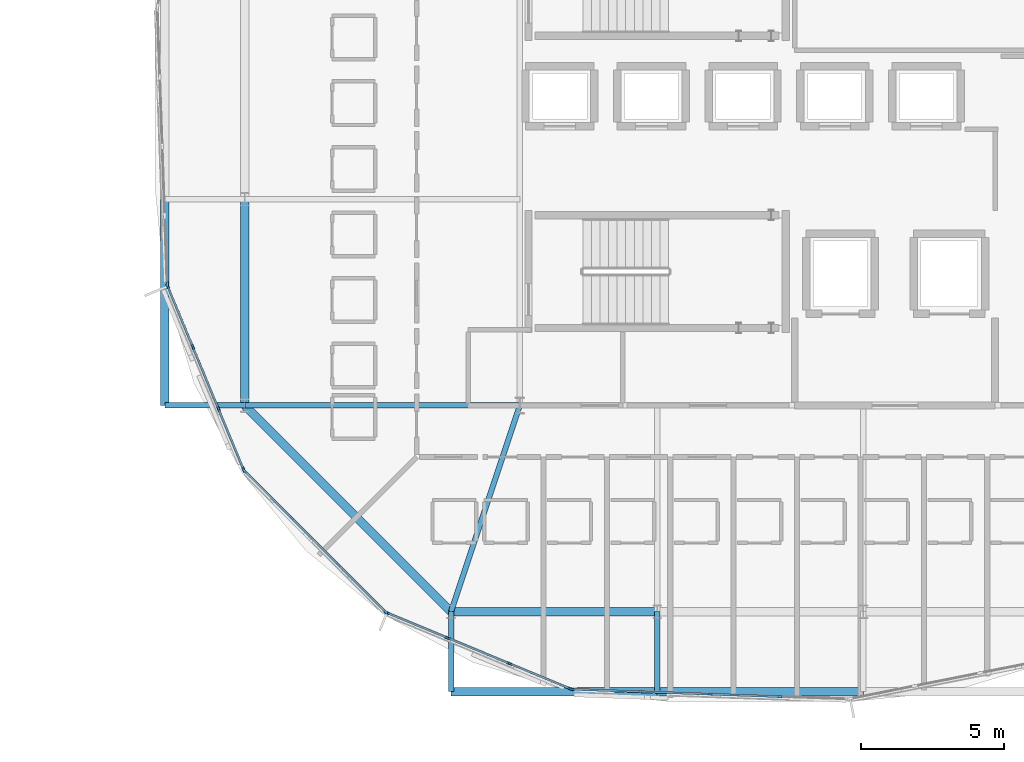
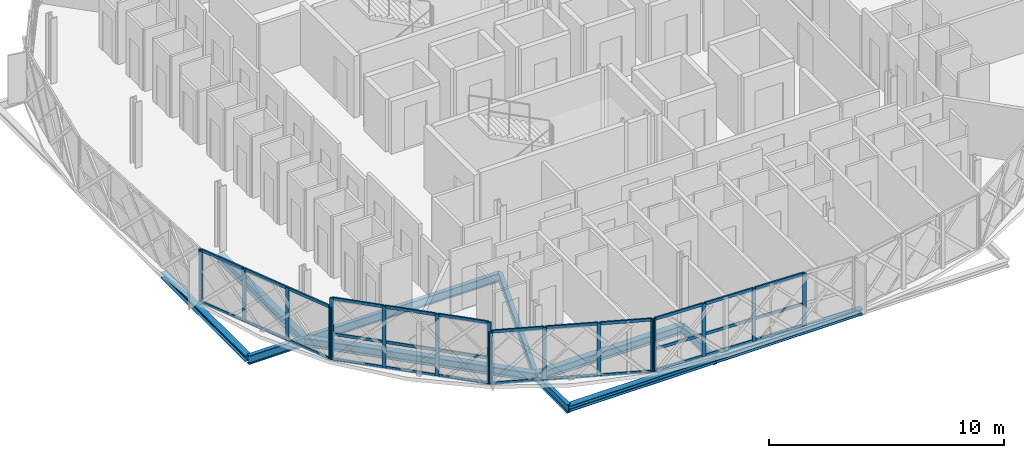
# One storey, part 8 of 40: 47 members, 11 beams, 5 elements without a shape of their own.
"""IFC4 building model written with IfcOpenShell, lengths in metres."""

import ifcopenshell
import ifcopenshell.guid

model = None  # the IFC model being written
_history = None  # IfcOwnerHistory: only IFC2X3 demands one
_inside = {}  # id of a spatial element -> (the spatial element, [elements in it])
_under = {}  # id of a project, library or spatial element -> (it, [spatial elements below it])
_declared = {}  # id of a project -> (the project, [libraries it declares])
_typed = {}  # id of a type object -> (the type object, [elements of that type])
_made_of = {}  # id of a material, layer set ... -> (it, [elements and type objects made of it])


def new_model(schema):
    """Start an empty IFC model of exactly this schema.

    Asked for "IFC4X3", IfcOpenShell would pick the latest addendum, in which some entities
    have other attributes; the version numbers below select the first issue.
    IFC2X3 requires an IfcOwnerHistory on every rooted entity: one is made here for all.
    """
    global model, _history
    if schema == "IFC4X3":
        model = ifcopenshell.file(schema_version=(4, 3, 0, 0))
    else:
        model = ifcopenshell.file(schema=schema)
    _inside.clear()
    _under.clear()
    _declared.clear()
    _typed.clear()
    _made_of.clear()
    _history = None
    if model.schema == "IFC2X3":
        org = make("IfcOrganization", Name="unknown")
        user = make(
            "IfcPersonAndOrganization",
            ThePerson=make("IfcPerson", FamilyName="unknown"),
            TheOrganization=org,
        )
        app = make(
            "IfcApplication",
            ApplicationDeveloper=org,
            Version="unknown",
            ApplicationFullName="unknown",
            ApplicationIdentifier="unknown",
        )
        _history = make(
            "IfcOwnerHistory",
            OwningUser=user,
            OwningApplication=app,
            ChangeAction="ADDED",
            CreationDate=0,
        )
    return model


def make(cls, **values):
    """One entity of the class cls with the attributes given. An attribute that is None is left unset."""
    return model.create_entity(
        cls, **{name: value for name, value in values.items() if value is not None}
    )


def rooted(cls, **values):
    """An entity with a GlobalId (a new one), such as an element, a storey or a relation."""
    return make(cls, GlobalId=ifcopenshell.guid.new(), OwnerHistory=_history, **values)


def si_unit(unit_type, name, prefix=None):
    """IfcSIUnit, for example si_unit("LENGTHUNIT", "METRE", prefix="MILLI")."""
    return make("IfcSIUnit", UnitType=unit_type, Prefix=prefix, Name=name)


def assignment(units):
    """IfcUnitAssignment: the units of a project."""
    return None if units is None else make("IfcUnitAssignment", Units=units)


def point(xyz):
    """IfcCartesianPoint."""
    return None if xyz is None else make("IfcCartesianPoint", Coordinates=xyz)


def direction(xyz):
    """IfcDirection."""
    return None if xyz is None else make("IfcDirection", DirectionRatios=xyz)


def frame(location, z_axis=None, x_axis=None):
    """IfcAxis2Placement3D, a coordinate frame: its origin and axes. An axis left out is left unset."""
    return make(
        "IfcAxis2Placement3D",
        Location=point(location),
        Axis=direction(z_axis),
        RefDirection=direction(x_axis),
    )


def frame_2d(location, x_axis=None):
    """IfcAxis2Placement2D, a coordinate frame in the plane: its origin and x axis."""
    return make(
        "IfcAxis2Placement2D", Location=point(location), RefDirection=direction(x_axis)
    )


def origin():
    """The frame at (0, 0, 0) with its axes left unset."""
    return frame((0.0, 0.0, 0.0))


def origin_2d():
    """The frame at (0, 0) in the plane with its x axis left unset."""
    return frame_2d((0.0, 0.0))


def place(relative_to, where):
    """IfcLocalPlacement: puts the frame where relative to a parent placement (None: the world)."""
    return make(
        "IfcLocalPlacement", PlacementRelTo=relative_to, RelativePlacement=where
    )


def context(
    kind, dimensions, precision=None, world=None, true_north=None, identifier=None
):
    """IfcGeometricRepresentationContext, for example the 3D "Model" context."""
    return make(
        "IfcGeometricRepresentationContext",
        ContextIdentifier=identifier,
        ContextType=kind,
        CoordinateSpaceDimension=dimensions,
        Precision=precision,
        WorldCoordinateSystem=world,
        TrueNorth=true_north,
    )


def subcontext(parent, identifier, kind, view, scale=None):
    """IfcGeometricRepresentationSubContext, for example "Body" below "Model"."""
    return make(
        "IfcGeometricRepresentationSubContext",
        ContextIdentifier=identifier,
        ContextType=kind,
        ParentContext=parent,
        TargetScale=scale,
        TargetView=view,
    )


def project(units=None, contexts=None):
    """IfcProject with its units and contexts."""
    return rooted(
        "IfcProject",
        Name="project",
        RepresentationContexts=contexts,
        UnitsInContext=assignment(units),
    )


def spatial(cls, under=None, at=None, **own):
    """A site, building, storey or space (cls), placed at a placement, below another one or the project."""
    s = rooted(cls, ObjectPlacement=at, **own)
    if under is not None:
        _under.setdefault(under.id(), (under, []))[1].append(s)
    return s


def profile(cls, at=None, kind="AREA", **sizes):
    """A parametric profile (cls). Its sizes go by their IFC names, for example OverallWidth=200.0."""
    return make(cls, ProfileType=kind, Position=at, **sizes)


def rectangle(**sizes):
    """IfcRectangleProfileDef."""
    return profile("IfcRectangleProfileDef", **sizes)


def i_section(**sizes):
    """IfcIShapeProfileDef."""
    return profile("IfcIShapeProfileDef", **sizes)


def extrude(swept, where, along, depth):
    """IfcExtrudedAreaSolid: the profile swept, set in the frame where, extruded along a direction by depth."""
    return make(
        "IfcExtrudedAreaSolid",
        SweptArea=swept,
        Position=where,
        ExtrudedDirection=direction(along),
        Depth=depth,
    )


def shape(context_of_items, identifier, shape_type, items):
    """IfcShapeRepresentation: the items that make up one representation, for example the "Body"."""
    return make(
        "IfcShapeRepresentation",
        ContextOfItems=context_of_items,
        RepresentationIdentifier=identifier,
        RepresentationType=shape_type,
        Items=items,
    )


def material(Name=None, Category=None):
    """IfcMaterial."""
    return make("IfcMaterial", Name=Name, Category=Category)


def layer(
    of_material, thickness, ventilated=None, Name=None, Category=None, Priority=None
):
    """IfcMaterialLayer: one layer of a wall or slab, of a material (None: an air gap)."""
    return make(
        "IfcMaterialLayer",
        Material=of_material,
        LayerThickness=thickness,
        IsVentilated=ventilated,
        Name=Name,
        Category=Category,
        Priority=Priority,
    )


def layer_set(layers, Name=None):
    """IfcMaterialLayerSet."""
    return make("IfcMaterialLayerSet", MaterialLayers=layers, LayerSetName=Name)


def material_profile(
    of_material, cross_section, Name=None, Category=None, Priority=None
):
    """IfcMaterialProfile: a cross section and its material."""
    return make(
        "IfcMaterialProfile",
        Name=Name,
        Material=of_material,
        Profile=cross_section,
        Priority=Priority,
        Category=Category,
    )


def profile_set(profiles, Name=None, composite=None):
    """IfcMaterialProfileSet."""
    return make(
        "IfcMaterialProfileSet",
        Name=Name,
        MaterialProfiles=profiles,
        CompositeProfile=composite,
    )


def made_of(thing, what):
    """Note that an element or type object is made of a material, layer set ...; save() writes the relation."""
    if what is not None:
        _made_of.setdefault(what.id(), (what, []))[1].append(thing)
    return thing


def type_object(cls, material=None, **own):
    """A type object (cls), such as IfcWallType, which elements share."""
    return made_of(rooted(cls, **own), material)


def element(
    cls,
    number,
    at=None,
    inside=None,
    cuts=None,
    type_object=None,
    material=None,
    context=None,
    identifier="Body",
    shape_type=None,
    held_by="IfcProductDefinitionShape",
    body=None,
    shapes=None,
    **own,
):
    """One element of the class cls, such as IfcWall. Its Tag is "e" and its number.

    at: its placement. inside: the storey or other place that contains it. cuts: it is an
    opening in that element (IfcRelVoidsElement). A single representation is given by context,
    identifier, shape_type and body (its items); several are given by shapes. held_by: the class
    of the entity that holds the representations. save() writes the other relations.
    """
    e = rooted(cls, Tag="e%d" % number, ObjectPlacement=at, **own)
    if body is not None:
        shapes = [shape(context, identifier, shape_type, body)]
    if shapes is not None:
        e.Representation = make(held_by, Representations=shapes)
    if inside is not None:
        _inside.setdefault(inside.id(), (inside, []))[1].append(e)
    if cuts is not None:
        rooted(
            "IfcRelVoidsElement", RelatingBuildingElement=cuts, RelatedOpeningElement=e
        )
    if type_object is not None:
        _typed.setdefault(type_object.id(), (type_object, []))[1].append(e)
    return made_of(e, material)


def aggregate(whole, parts):
    """IfcRelAggregates: a whole, such as a stair, and the parts it consists of."""
    return rooted("IfcRelAggregates", RelatingObject=whole, RelatedObjects=parts)


def save(model, path):
    """Write the relations noted so far, then the file.

    IfcRelAggregates (storeys below a building ...), IfcRelContainedInSpatialStructure (elements
    in a storey), IfcRelDefinesByType, IfcRelAssociatesMaterial and IfcRelDeclares: one each for
    every whole, place, type object, material and project.
    """
    for whole, parts in _under.values():
        aggregate(whole, parts)
    for where, things in _inside.values():
        rooted(
            "IfcRelContainedInSpatialStructure",
            RelatedElements=things,
            RelatingStructure=where,
        )
    for kind, things in _typed.values():
        rooted("IfcRelDefinesByType", RelatedObjects=things, RelatingType=kind)
    for what, things in _made_of.values():
        rooted("IfcRelAssociatesMaterial", RelatedObjects=things, RelatingMaterial=what)
    for by, libraries in _declared.values():
        rooted("IfcRelDeclares", RelatingContext=by, RelatedDefinitions=libraries)
    model.write(path)


model = new_model("IFC4")

# Units and contexts
model_context = context("Model", 3, precision=1e-05, world=origin(), true_north=direction((0.0, 1.0)))
body_context = subcontext(model_context, "Body", "Model", "MODEL_VIEW")
ifc_project = project(units=[si_unit("LENGTHUNIT", "METRE"), si_unit("AREAUNIT", "SQUARE_METRE"), si_unit("VOLUMEUNIT", "CUBIC_METRE"), si_unit("PLANEANGLEUNIT", "RADIAN"), si_unit("MASSUNIT", "GRAM", prefix="KILO")], contexts=[model_context])

# Site, building, storey
site_placement = place(None, origin())
site = spatial("IfcSite", under=ifc_project, at=site_placement, CompositionType="ELEMENT")
building_placement = place(site_placement, origin())
building = spatial("IfcBuilding", under=site, at=building_placement, Name="Zevrakil Square Congress Hotel", CompositionType="ELEMENT")
storey_placement = place(building_placement, frame((0.0, 0.0, 18.10009765625)))
storey = spatial("IfcBuildingStorey", under=building, at=storey_placement, Name="L05", CompositionType="ELEMENT", Elevation=18.10009765625)

# Beams
ifc_material_1 = material(Name="Steel S355", Category="steel")
ifc_material_profile_1 = material_profile(ifc_material_1, i_section(OverallWidth=0.300048828125, OverallDepth=0.43994140625, WebThickness=0.011474609375, FlangeThickness=0.02099609375, FilletRadius=0.027099609375, at=origin_2d()), Name="HEA 450")
ifc_profile_set_1 = profile_set([ifc_material_profile_1], Name="Steel S355")
beam_type_1 = type_object("IfcBeamType", Name="BM-HEA450", PredefinedType="BEAM", material=ifc_profile_set_1)
beam_1_placement = place(storey_placement, frame((134.39990234375, 9.60009765625, -0.405029296875), z_axis=(1.0, 0.0, 0.0), x_axis=(0.0, 1.0, 0.0)))
element("IfcBeam", 1, at=beam_1_placement, inside=storey, type_object=beam_type_1, Name="L05 drum ring girder DRB-01", PredefinedType="BEAM", context=body_context, shape_type="SweptSolid", body=[
    extrude(i_section(OverallWidth=0.300048828125, OverallDepth=0.43994140625, WebThickness=0.011474609375, FlangeThickness=0.02099609375, FilletRadius=0.027099609375, at=origin_2d()), origin(), (0.0, 0.0, 1.0), 7.2001953125),
])
beam_2_placement = place(storey_placement, frame((127.199951171875, 24.0, -0.405029296875), z_axis=(0.0, -1.0, 0.0), x_axis=(1.0, 0.0, 0.0)))
element("IfcBeam", 2, at=beam_2_placement, inside=storey, type_object=beam_type_1, Name="L05 drum ring girder DRB-15", PredefinedType="BEAM", context=body_context, shape_type="SweptSolid", body=[
    extrude(i_section(OverallWidth=0.300048828125, OverallDepth=0.43994140625, WebThickness=0.011474609375, FlangeThickness=0.02099609375, FilletRadius=0.027099609375, at=origin_2d()), origin(), (0.0, 0.0, 1.0), 7.199951171875),
])
beam_3_placement = place(storey_placement, frame((127.199951171875, 16.800048828125, -0.405029296875), z_axis=(0.707106781187, -0.707106781187, 0.0), x_axis=(0.707106781187, 0.707106781187, 0.0)))
element("IfcBeam", 3, at=beam_3_placement, inside=storey, type_object=beam_type_1, Name="L05 drum ring girder DRB-16", PredefinedType="BEAM", context=body_context, shape_type="SweptSolid", body=[
    extrude(i_section(OverallWidth=0.300048828125, OverallDepth=0.43994140625, WebThickness=0.011474609375, FlangeThickness=0.02099609375, FilletRadius=0.027099609375, at=origin_2d()), origin(), (0.0, 0.0, 1.0), 10.182373046875),
])
ifc_material_2 = material(Name="Steel S355", Category="steel")
ifc_material_profile_2 = material_profile(ifc_material_2, i_section(OverallWidth=0.18994140625, OverallDepth=0.449951171875, WebThickness=0.009521484375, FlangeThickness=0.0146484375, FilletRadius=0.02099609375, at=origin_2d()), Name="IPE 450")
ifc_profile_set_2 = profile_set([ifc_material_profile_2], Name="Steel S355")
beam_type_2 = type_object("IfcBeamType", Name="BM-IPE450", PredefinedType="BEAM", material=ifc_profile_set_2)
beam_4_placement = place(storey_placement, frame((136.800048828125, 16.800048828125, -0.41015625), z_axis=(-0.316247066962, -0.948676864184, 0.0), x_axis=(0.948676864184, -0.316247066962, 0.0)))
element("IfcBeam", 4, at=beam_4_placement, inside=storey, type_object=beam_type_2, Name="L05 drum radial floor beam DRI-01", PredefinedType="BEAM", context=body_context, shape_type="SweptSolid", body=[
    extrude(i_section(OverallWidth=0.18994140625, OverallDepth=0.449951171875, WebThickness=0.009521484375, FlangeThickness=0.0146484375, FilletRadius=0.02099609375, at=origin_2d()), origin(), (0.0, 0.0, 1.0), 7.58935546875),
])
for number, where, z_axis, x_axis, name in (
    (5, (134.39990234375, 9.60009765625, -0.41015625), (0.0, -1.0, 0.0), (1.0, 0.0, 0.0), "L05 drum radial edge cantilever beam DRO-01"),
    (6, (141.60009765625, 9.60009765625, -0.41015625), (0.0, -1.0, 0.0), (1.0, 0.0, 0.0), "L05 drum radial edge cantilever beam DRO-02"),
):
    element("IfcBeam", number, at=place(storey_placement, frame(where, z_axis=z_axis, x_axis=x_axis)), inside=storey, type_object=beam_type_2, Name=name, PredefinedType="BEAM", context=body_context, shape_type="SweptSolid", body=[
        extrude(i_section(OverallWidth=0.18994140625, OverallDepth=0.449951171875, WebThickness=0.009521484375, FlangeThickness=0.0146484375, FilletRadius=0.02099609375, at=origin_2d()), origin(), (0.0, 0.0, 1.0), 2.79248046875),
    ])
beam_5_placement = place(storey_placement, frame((136.800048828125, 16.800048828125, -0.41015625), z_axis=(-1.0, 0.0, 0.0), x_axis=(0.0, -1.0, 0.0)))
element("IfcBeam", 7, at=beam_5_placement, inside=storey, type_object=beam_type_2, Name="L05 drum radial floor beam DRI-16", PredefinedType="BEAM", context=body_context, shape_type="SweptSolid", body=[
    extrude(i_section(OverallWidth=0.18994140625, OverallDepth=0.449951171875, WebThickness=0.009521484375, FlangeThickness=0.0146484375, FilletRadius=0.02099609375, at=origin_2d()), origin(), (0.0, 0.0, 1.0), 9.60009765625),
])
beam_6_placement = place(storey_placement, frame((127.199951171875, 16.800048828125, -0.41015625), z_axis=(-1.0, 0.0, 0.0), x_axis=(0.0, -1.0, 0.0)))
element("IfcBeam", 8, at=beam_6_placement, inside=storey, type_object=beam_type_2, Name="L05 drum radial edge cantilever beam DRO-16", PredefinedType="BEAM", context=body_context, shape_type="SweptSolid", body=[
    extrude(i_section(OverallWidth=0.18994140625, OverallDepth=0.449951171875, WebThickness=0.009521484375, FlangeThickness=0.0146484375, FilletRadius=0.02099609375, at=origin_2d()), origin(), (0.0, 0.0, 1.0), 2.79248046875),
])

# Curtain wall, members
ifc_material_3 = material(Name="Aluminium Anodised Bronze", Category="aluminium")
ifc_layer_1 = layer(ifc_material_3, 0.179931640625)
ifc_layer_set_1 = layer_set([ifc_layer_1], Name="Aluminium Anodised Bronze")
curtain_wall_type_1 = type_object("IfcCurtainWallType", Name="CW-L05-720", PredefinedType="USERDEFINED", material=ifc_layer_set_1)
curtain_wall_1_placement = place(storey_placement, origin())
curtain_wall_1 = element("IfcCurtainWall", 9, at=curtain_wall_1_placement, inside=storey, type_object=curtain_wall_type_1, Name="L05 diamond curtain wall CW-L05-0197", ObjectType="GLAZED CURTAIN WALL", PredefinedType="USERDEFINED")
ifc_material_4 = material(Name="Aluminium Anodised Bronze", Category="aluminium")
ifc_material_profile_3 = material_profile(ifc_material_4, rectangle(XDim=0.074951171875, YDim=0.14990234375, at=origin_2d()), Name="ALU 75x150")
ifc_profile_set_3 = profile_set([ifc_material_profile_3], Name="Aluminium Anodised Bronze")
member_type_1 = type_object("IfcMemberType", Name="CWM-ALU75x150", PredefinedType="USERDEFINED", material=ifc_profile_set_3)
member_1_placement = place(storey_placement, frame((124.515380859375, 20.9443359375, 0.02978515625), z_axis=(0.382723093326, -0.923863103406, 0.0), x_axis=(0.923863103406, 0.382723093326, 0.0)))
member_1 = element("IfcMember", 10, at=member_1_placement, type_object=member_type_1, Name="CW-58 transom 1.1", ObjectType="TRANSOM", PredefinedType="USERDEFINED", context=body_context, shape_type="SweptSolid", body=[
    extrude(rectangle(XDim=0.074951171875, YDim=0.14990234375, at=origin_2d()), origin(), (0.0, 0.0, 1.0), 2.245361328125),
])
member_2_placement = place(storey_placement, frame((124.515380859375, 20.9443359375, 2.71484375), z_axis=(0.382723093326, -0.923863103406, 0.0), x_axis=(0.923863103406, 0.382723093326, 0.0)))
member_2 = element("IfcMember", 11, at=member_2_placement, type_object=member_type_1, Name="CW-58 transom 1.2", ObjectType="TRANSOM", PredefinedType="USERDEFINED", context=body_context, shape_type="SweptSolid", body=[
    extrude(rectangle(XDim=0.074951171875, YDim=0.14990234375, at=origin_2d()), origin(), (0.0, 0.0, 1.0), 2.245361328125),
])
member_3_placement = place(storey_placement, frame((125.397705078125, 18.814453125, 0.02978515625), z_axis=(0.382648740238, -0.923893901698, 0.0), x_axis=(0.923893901698, 0.382648740238, 0.0)))
member_3 = element("IfcMember", 12, at=member_3_placement, type_object=member_type_1, Name="CW-58 transom 2.1", ObjectType="TRANSOM", PredefinedType="USERDEFINED", context=body_context, shape_type="SweptSolid", body=[
    extrude(rectangle(XDim=0.074951171875, YDim=0.14990234375, at=origin_2d()), origin(), (0.0, 0.0, 1.0), 2.275146484375),
])
member_4_placement = place(storey_placement, frame((125.397705078125, 18.814453125, 2.71484375), z_axis=(0.382648740238, -0.923893901698, 0.0), x_axis=(0.923893901698, 0.382648740238, 0.0)))
member_4 = element("IfcMember", 13, at=member_4_placement, type_object=member_type_1, Name="CW-58 transom 2.2", ObjectType="TRANSOM", PredefinedType="USERDEFINED", context=body_context, shape_type="SweptSolid", body=[
    extrude(rectangle(XDim=0.074951171875, YDim=0.14990234375, at=origin_2d()), origin(), (0.0, 0.0, 1.0), 2.275146484375),
])
member_5_placement = place(storey_placement, frame((126.291259765625, 16.656982421875, 0.02978515625), z_axis=(0.382723093326, -0.923863103406, 0.0), x_axis=(0.923863103406, 0.382723093326, 0.0)))
member_5 = element("IfcMember", 14, at=member_5_placement, type_object=member_type_1, Name="CW-58 transom 3.1", ObjectType="TRANSOM", PredefinedType="USERDEFINED", context=body_context, shape_type="SweptSolid", body=[
    extrude(rectangle(XDim=0.074951171875, YDim=0.14990234375, at=origin_2d()), origin(), (0.0, 0.0, 1.0), 2.245361328125),
])
member_6_placement = place(storey_placement, frame((126.291259765625, 16.656982421875, 2.71484375), z_axis=(0.382723093326, -0.923863103406, 0.0), x_axis=(0.923863103406, 0.382723093326, 0.0)))
member_6 = element("IfcMember", 15, at=member_6_placement, type_object=member_type_1, Name="CW-58 transom 3.2", ObjectType="TRANSOM", PredefinedType="USERDEFINED", context=body_context, shape_type="SweptSolid", body=[
    extrude(rectangle(XDim=0.074951171875, YDim=0.14990234375, at=origin_2d()), origin(), (0.0, 0.0, 1.0), 2.245361328125),
])

curtain_wall_2_placement = place(storey_placement, origin())
curtain_wall_2 = element("IfcCurtainWall", 16, at=curtain_wall_2_placement, inside=storey, type_object=curtain_wall_type_1, Name="L05 diamond curtain wall CW-L05-0198", ObjectType="GLAZED CURTAIN WALL", PredefinedType="USERDEFINED")
member_7_placement = place(storey_placement, frame((127.2158203125, 14.48486328125, 0.02978515625), z_axis=(0.707106781187, -0.707106781187, 0.0), x_axis=(0.707106781187, 0.707106781187, 0.0)))
member_7 = element("IfcMember", 17, at=member_7_placement, type_object=member_type_1, Name="CW-58 transom 1.1", ObjectType="TRANSOM", PredefinedType="USERDEFINED", context=body_context, shape_type="SweptSolid", body=[
    extrude(rectangle(XDim=0.074951171875, YDim=0.14990234375, at=origin_2d()), origin(), (0.0, 0.0, 1.0), 2.245361328125),
])
member_8_placement = place(storey_placement, frame((127.2158203125, 14.48486328125, 1.34814453125), z_axis=(0.707106781187, -0.707106781187, 0.0), x_axis=(0.707106781187, 0.707106781187, 0.0)))
member_8 = element("IfcMember", 18, at=member_8_placement, type_object=member_type_1, Name="CW-58 transom 1.2", ObjectType="TRANSOM", PredefinedType="USERDEFINED", context=body_context, shape_type="SweptSolid", body=[
    extrude(rectangle(XDim=0.074951171875, YDim=0.14990234375, at=origin_2d()), origin(), (0.0, 0.0, 1.0), 2.245361328125),
])
member_9_placement = place(storey_placement, frame((127.2158203125, 14.48486328125, 3.179931640625), z_axis=(0.707106781187, -0.707106781187, 0.0), x_axis=(0.707106781187, 0.707106781187, 0.0)))
member_9 = element("IfcMember", 19, at=member_9_placement, type_object=member_type_1, Name="CW-58 transom 1.3", ObjectType="TRANSOM", PredefinedType="USERDEFINED", context=body_context, shape_type="SweptSolid", body=[
    extrude(rectangle(XDim=0.074951171875, YDim=0.14990234375, at=origin_2d()), origin(), (0.0, 0.0, 1.0), 2.245361328125),
])
member_10_placement = place(storey_placement, frame((128.845947265625, 12.854736328125, 0.02978515625), z_axis=(0.707106781187, -0.707106781187, 0.0), x_axis=(0.707106781187, 0.707106781187, 0.0)))
member_10 = element("IfcMember", 20, at=member_10_placement, type_object=member_type_1, Name="CW-58 transom 2.1", ObjectType="TRANSOM", PredefinedType="USERDEFINED", context=body_context, shape_type="SweptSolid", body=[
    extrude(rectangle(XDim=0.074951171875, YDim=0.14990234375, at=origin_2d()), origin(), (0.0, 0.0, 1.0), 2.275390625),
])
member_11_placement = place(storey_placement, frame((128.845947265625, 12.854736328125, 1.34814453125), z_axis=(0.707106781187, -0.707106781187, 0.0), x_axis=(0.707106781187, 0.707106781187, 0.0)))
member_11 = element("IfcMember", 21, at=member_11_placement, type_object=member_type_1, Name="CW-58 transom 2.2", ObjectType="TRANSOM", PredefinedType="USERDEFINED", context=body_context, shape_type="SweptSolid", body=[
    extrude(rectangle(XDim=0.074951171875, YDim=0.14990234375, at=origin_2d()), origin(), (0.0, 0.0, 1.0), 2.275390625),
])
member_12_placement = place(storey_placement, frame((128.845947265625, 12.854736328125, 3.179931640625), z_axis=(0.707106781187, -0.707106781187, 0.0), x_axis=(0.707106781187, 0.707106781187, 0.0)))
member_12 = element("IfcMember", 22, at=member_12_placement, type_object=member_type_1, Name="CW-58 transom 2.3", ObjectType="TRANSOM", PredefinedType="USERDEFINED", context=body_context, shape_type="SweptSolid", body=[
    extrude(rectangle(XDim=0.074951171875, YDim=0.14990234375, at=origin_2d()), origin(), (0.0, 0.0, 1.0), 2.275390625),
])
member_13_placement = place(storey_placement, frame((130.4970703125, 11.20361328125, 0.02978515625), z_axis=(0.707106781187, -0.707106781187, 0.0), x_axis=(0.707106781187, 0.707106781187, 0.0)))
member_13 = element("IfcMember", 23, at=member_13_placement, type_object=member_type_1, Name="CW-58 transom 3.1", ObjectType="TRANSOM", PredefinedType="USERDEFINED", context=body_context, shape_type="SweptSolid", body=[
    extrude(rectangle(XDim=0.074951171875, YDim=0.14990234375, at=origin_2d()), origin(), (0.0, 0.0, 1.0), 2.245361328125),
])
member_14_placement = place(storey_placement, frame((130.4970703125, 11.20361328125, 1.34814453125), z_axis=(0.707106781187, -0.707106781187, 0.0), x_axis=(0.707106781187, 0.707106781187, 0.0)))
member_14 = element("IfcMember", 24, at=member_14_placement, type_object=member_type_1, Name="CW-58 transom 3.2", ObjectType="TRANSOM", PredefinedType="USERDEFINED", context=body_context, shape_type="SweptSolid", body=[
    extrude(rectangle(XDim=0.074951171875, YDim=0.14990234375, at=origin_2d()), origin(), (0.0, 0.0, 1.0), 2.245361328125),
])
member_15_placement = place(storey_placement, frame((130.4970703125, 11.20361328125, 3.179931640625), z_axis=(0.707106781187, -0.707106781187, 0.0), x_axis=(0.707106781187, 0.707106781187, 0.0)))
member_15 = element("IfcMember", 25, at=member_15_placement, type_object=member_type_1, Name="CW-58 transom 3.3", ObjectType="TRANSOM", PredefinedType="USERDEFINED", context=body_context, shape_type="SweptSolid", body=[
    extrude(rectangle(XDim=0.074951171875, YDim=0.14990234375, at=origin_2d()), origin(), (0.0, 0.0, 1.0), 2.245361328125),
])

curtain_wall_3_placement = place(storey_placement, origin())
curtain_wall_3 = element("IfcCurtainWall", 26, at=curtain_wall_3_placement, inside=storey, type_object=curtain_wall_type_1, Name="L05 diamond curtain wall CW-L05-0199", ObjectType="GLAZED CURTAIN WALL", PredefinedType="USERDEFINED")
member_16_placement = place(storey_placement, frame((132.1826171875, 9.550537109375, 0.02978515625), z_axis=(0.923901544851, -0.382630285552, 0.0), x_axis=(0.382630285552, 0.923901544851, 0.0)))
member_16 = element("IfcMember", 27, at=member_16_placement, type_object=member_type_1, Name="CW-58 transom 1.1", ObjectType="TRANSOM", PredefinedType="USERDEFINED", context=body_context, shape_type="SweptSolid", body=[
    extrude(rectangle(XDim=0.074951171875, YDim=0.14990234375, at=origin_2d()), origin(), (0.0, 0.0, 1.0), 2.245361328125),
])
member_17_placement = place(storey_placement, frame((132.1826171875, 9.550537109375, 2.71484375), z_axis=(0.923901544851, -0.382630285552, 0.0), x_axis=(0.382630285552, 0.923901544851, 0.0)))
member_17 = element("IfcMember", 28, at=member_17_placement, type_object=member_type_1, Name="CW-58 transom 1.2", ObjectType="TRANSOM", PredefinedType="USERDEFINED", context=body_context, shape_type="SweptSolid", body=[
    extrude(rectangle(XDim=0.074951171875, YDim=0.14990234375, at=origin_2d()), origin(), (0.0, 0.0, 1.0), 2.245361328125),
])
member_18_placement = place(storey_placement, frame((134.3125, 8.66845703125, 0.02978515625), z_axis=(0.923855963606, -0.38274032778, 0.0), x_axis=(0.38274032778, 0.923855963606, 0.0)))
member_18 = element("IfcMember", 29, at=member_18_placement, type_object=member_type_1, Name="CW-58 transom 2.1", ObjectType="TRANSOM", PredefinedType="USERDEFINED", context=body_context, shape_type="SweptSolid", body=[
    extrude(rectangle(XDim=0.074951171875, YDim=0.14990234375, at=origin_2d()), origin(), (0.0, 0.0, 1.0), 2.275390625),
])
member_19_placement = place(storey_placement, frame((134.3125, 8.66845703125, 2.71484375), z_axis=(0.923855963606, -0.38274032778, 0.0), x_axis=(0.38274032778, 0.923855963606, 0.0)))
member_19 = element("IfcMember", 30, at=member_19_placement, type_object=member_type_1, Name="CW-58 transom 2.2", ObjectType="TRANSOM", PredefinedType="USERDEFINED", context=body_context, shape_type="SweptSolid", body=[
    extrude(rectangle(XDim=0.074951171875, YDim=0.14990234375, at=origin_2d()), origin(), (0.0, 0.0, 1.0), 2.275390625),
])
member_20_placement = place(storey_placement, frame((136.469970703125, 7.774658203125, 0.02978515625), z_axis=(0.923885623343, -0.382668727465, 0.0), x_axis=(0.382668727465, 0.923885623343, 0.0)))
member_20 = element("IfcMember", 31, at=member_20_placement, type_object=member_type_1, Name="CW-58 transom 3.1", ObjectType="TRANSOM", PredefinedType="USERDEFINED", context=body_context, shape_type="SweptSolid", body=[
    extrude(rectangle(XDim=0.074951171875, YDim=0.14990234375, at=origin_2d()), origin(), (0.0, 0.0, 1.0), 2.2451171875),
])
member_21_placement = place(storey_placement, frame((136.469970703125, 7.774658203125, 2.71484375), z_axis=(0.923885623343, -0.382668727465, 0.0), x_axis=(0.382668727465, 0.923885623343, 0.0)))
member_21 = element("IfcMember", 32, at=member_21_placement, type_object=member_type_1, Name="CW-58 transom 3.2", ObjectType="TRANSOM", PredefinedType="USERDEFINED", context=body_context, shape_type="SweptSolid", body=[
    extrude(rectangle(XDim=0.074951171875, YDim=0.14990234375, at=origin_2d()), origin(), (0.0, 0.0, 1.0), 2.2451171875),
])

ifc_material_5 = material(Name="Aluminium Anodised Bronze", Category="aluminium")
ifc_layer_2 = layer(ifc_material_5, 0.179931640625)
ifc_layer_set_2 = layer_set([ifc_layer_2], Name="Aluminium Anodised Bronze")
curtain_wall_type_2 = type_object("IfcCurtainWallType", Name="CW-L05-900", PredefinedType="USERDEFINED", material=ifc_layer_set_2)
curtain_wall_4_placement = place(storey_placement, origin())
curtain_wall_4 = element("IfcCurtainWall", 33, at=curtain_wall_4_placement, inside=storey, type_object=curtain_wall_type_2, Name="L05 diamond curtain wall CW-L05-0200", ObjectType="GLAZED CURTAIN WALL", PredefinedType="USERDEFINED")
member_22_placement = place(storey_placement, frame((138.65966796875, 6.890380859375, 0.02978515625), z_axis=(0.999368433945, -0.035534957911, 0.0), x_axis=(0.035534957911, 0.999368433945, 0.0)))
member_22 = element("IfcMember", 34, at=member_22_placement, type_object=member_type_1, Name="CW-60 transom 1.1", ObjectType="TRANSOM", PredefinedType="USERDEFINED", context=body_context, shape_type="SweptSolid", body=[
    extrude(rectangle(XDim=0.074951171875, YDim=0.14990234375, at=origin_2d()), origin(), (0.0, 0.0, 1.0), 2.3359375),
])
member_23_placement = place(storey_placement, frame((138.65966796875, 6.890380859375, 1.15283203125), z_axis=(0.999368433945, -0.035534957911, 0.0), x_axis=(0.035534957911, 0.999368433945, 0.0)))
member_23 = element("IfcMember", 35, at=member_23_placement, type_object=member_type_1, Name="CW-60 transom 1.2", ObjectType="TRANSOM", PredefinedType="USERDEFINED", context=body_context, shape_type="SweptSolid", body=[
    extrude(rectangle(XDim=0.074951171875, YDim=0.14990234375, at=origin_2d()), origin(), (0.0, 0.0, 1.0), 2.3359375),
])
member_24_placement = place(storey_placement, frame((138.65966796875, 6.890380859375, 2.71484375), z_axis=(0.999368433945, -0.035534957911, 0.0), x_axis=(0.035534957911, 0.999368433945, 0.0)))
member_24 = element("IfcMember", 36, at=member_24_placement, type_object=member_type_1, Name="CW-60 transom 1.3", ObjectType="TRANSOM", PredefinedType="USERDEFINED", context=body_context, shape_type="SweptSolid", body=[
    extrude(rectangle(XDim=0.074951171875, YDim=0.14990234375, at=origin_2d()), origin(), (0.0, 0.0, 1.0), 2.3359375),
])
member_25_placement = place(storey_placement, frame((141.05419921875, 6.80517578125, 0.02978515625), z_axis=(0.999366136322, -0.035599516472, 0.0), x_axis=(0.035599516472, 0.999366136322, 0.0)))
member_25 = element("IfcMember", 37, at=member_25_placement, type_object=member_type_1, Name="CW-60 transom 2.1", ObjectType="TRANSOM", PredefinedType="USERDEFINED", context=body_context, shape_type="SweptSolid", body=[
    extrude(rectangle(XDim=0.074951171875, YDim=0.14990234375, at=origin_2d()), origin(), (0.0, 0.0, 1.0), 2.365966796875),
])
member_26_placement = place(storey_placement, frame((141.05419921875, 6.80517578125, 1.15283203125), z_axis=(0.999366136322, -0.035599516472, 0.0), x_axis=(0.035599516472, 0.999366136322, 0.0)))
member_26 = element("IfcMember", 38, at=member_26_placement, type_object=member_type_1, Name="CW-60 transom 2.2", ObjectType="TRANSOM", PredefinedType="USERDEFINED", context=body_context, shape_type="SweptSolid", body=[
    extrude(rectangle(XDim=0.074951171875, YDim=0.14990234375, at=origin_2d()), origin(), (0.0, 0.0, 1.0), 2.365966796875),
])
member_27_placement = place(storey_placement, frame((141.05419921875, 6.80517578125, 2.71484375), z_axis=(0.999366136322, -0.035599516472, 0.0), x_axis=(0.035599516472, 0.999366136322, 0.0)))
member_27 = element("IfcMember", 39, at=member_27_placement, type_object=member_type_1, Name="CW-60 transom 2.3", ObjectType="TRANSOM", PredefinedType="USERDEFINED", context=body_context, shape_type="SweptSolid", body=[
    extrude(rectangle(XDim=0.074951171875, YDim=0.14990234375, at=origin_2d()), origin(), (0.0, 0.0, 1.0), 2.365966796875),
])
member_28_placement = place(storey_placement, frame((143.478515625, 6.718994140625, 0.02978515625), z_axis=(0.999366136322, -0.035599516472, 0.0), x_axis=(0.035599516472, 0.999366136322, 0.0)))
member_28 = element("IfcMember", 40, at=member_28_placement, type_object=member_type_1, Name="CW-60 transom 3.1", ObjectType="TRANSOM", PredefinedType="USERDEFINED", context=body_context, shape_type="SweptSolid", body=[
    extrude(rectangle(XDim=0.074951171875, YDim=0.14990234375, at=origin_2d()), origin(), (0.0, 0.0, 1.0), 2.365966796875),
])
member_29_placement = place(storey_placement, frame((143.478515625, 6.718994140625, 1.15283203125), z_axis=(0.999366136322, -0.035599516472, 0.0), x_axis=(0.035599516472, 0.999366136322, 0.0)))
member_29 = element("IfcMember", 41, at=member_29_placement, type_object=member_type_1, Name="CW-60 transom 3.2", ObjectType="TRANSOM", PredefinedType="USERDEFINED", context=body_context, shape_type="SweptSolid", body=[
    extrude(rectangle(XDim=0.074951171875, YDim=0.14990234375, at=origin_2d()), origin(), (0.0, 0.0, 1.0), 2.365966796875),
])
member_30_placement = place(storey_placement, frame((143.478515625, 6.718994140625, 2.71484375), z_axis=(0.999366136322, -0.035599516472, 0.0), x_axis=(0.035599516472, 0.999366136322, 0.0)))
member_30 = element("IfcMember", 42, at=member_30_placement, type_object=member_type_1, Name="CW-60 transom 3.3", ObjectType="TRANSOM", PredefinedType="USERDEFINED", context=body_context, shape_type="SweptSolid", body=[
    extrude(rectangle(XDim=0.074951171875, YDim=0.14990234375, at=origin_2d()), origin(), (0.0, 0.0, 1.0), 2.365966796875),
])

# Curtain wall, member
curtain_wall_5_placement = place(storey_placement, origin())
curtain_wall_5 = element("IfcCurtainWall", 43, at=curtain_wall_5_placement, inside=storey, type_object=curtain_wall_type_2, Name="L05 diamond curtain wall CW-L05-0196", ObjectType="GLAZED CURTAIN WALL", PredefinedType="USERDEFINED")
ifc_material_6 = material(Name="Aluminium Anodised Bronze", Category="aluminium")
ifc_material_profile_4 = material_profile(ifc_material_6, rectangle(XDim=0.074951171875, YDim=0.179931640625, at=origin_2d()), Name="ALU 75x180")
ifc_profile_set_4 = profile_set([ifc_material_profile_4], Name="Aluminium Anodised Bronze")
member_type_2 = type_object("IfcMemberType", Name="CWM-ALU75x180", PredefinedType="MULLION", material=ifc_profile_set_4)
member_31_placement = place(storey_placement, frame((124.491455078125, 21.02978515625, 0.0), z_axis=(0.0, 0.0, 1.0), x_axis=(0.999367806889, 0.035552588564, 0.0)))
member_31 = element("IfcMember", 44, at=member_31_placement, type_object=member_type_2, Name="CW-60 mullion 5", PredefinedType="MULLION", context=body_context, shape_type="SweptSolid", body=[
    extrude(rectangle(XDim=0.074951171875, YDim=0.179931640625, at=origin_2d()), origin(), (0.0, 0.0, 1.0), 2.744873046875),
])
aggregate(curtain_wall_5, [member_31])

# Member
member_32_placement = place(storey_placement, frame((124.50390625, 20.971923828125, 0.0), z_axis=(0.0, 0.0, 1.0), x_axis=(0.92387939537, 0.382683763454, 0.0)))
member_32 = element("IfcMember", 45, at=member_32_placement, type_object=member_type_2, Name="CW-58 mullion 1", PredefinedType="MULLION", context=body_context, shape_type="SweptSolid", body=[
    extrude(rectangle(XDim=0.074951171875, YDim=0.179931640625, at=origin_2d()), origin(), (0.0, 0.0, 1.0), 2.744873046875),
])

member_33_placement = place(storey_placement, frame((125.38623046875, 18.84228515625, 0.0), z_axis=(0.0, 0.0, 1.0), x_axis=(0.92387939537, 0.382683763454, 0.0)))
member_33 = element("IfcMember", 46, at=member_33_placement, type_object=member_type_2, Name="CW-58 mullion 2", PredefinedType="MULLION", context=body_context, shape_type="SweptSolid", body=[
    extrude(rectangle(XDim=0.074951171875, YDim=0.179931640625, at=origin_2d()), origin(), (0.0, 0.0, 1.0), 2.744873046875),
])

member_34_placement = place(storey_placement, frame((126.27978515625, 16.684814453125, 0.0), z_axis=(0.0, 0.0, 1.0), x_axis=(0.92387939537, 0.382683763454, 0.0)))
member_34 = element("IfcMember", 47, at=member_34_placement, type_object=member_type_2, Name="CW-58 mullion 3", PredefinedType="MULLION", context=body_context, shape_type="SweptSolid", body=[
    extrude(rectangle(XDim=0.074951171875, YDim=0.179931640625, at=origin_2d()), origin(), (0.0, 0.0, 1.0), 2.744873046875),
])

member_35_placement = place(storey_placement, frame((127.162109375, 14.554931640625, 0.0), z_axis=(0.0, 0.0, 1.0), x_axis=(0.92387939537, 0.382683763454, 0.0)))
member_35 = element("IfcMember", 48, at=member_35_placement, type_object=member_type_2, Name="CW-58 mullion 4", PredefinedType="MULLION", context=body_context, shape_type="SweptSolid", body=[
    extrude(rectangle(XDim=0.074951171875, YDim=0.179931640625, at=origin_2d()), origin(), (0.0, 0.0, 1.0), 2.744873046875),
])

aggregate(curtain_wall_1, [member_32, member_33, member_34, member_35, member_1, member_2, member_3, member_4, member_5, member_6])

member_36_placement = place(storey_placement, frame((127.19482421875, 14.506103515625, 0.0), z_axis=(0.0, 0.0, 1.0), x_axis=(0.707106781187, 0.707106781187, 0.0)))
member_36 = element("IfcMember", 49, at=member_36_placement, type_object=member_type_2, Name="CW-58 mullion 1", PredefinedType="MULLION", context=body_context, shape_type="SweptSolid", body=[
    extrude(rectangle(XDim=0.074951171875, YDim=0.179931640625, at=origin_2d()), origin(), (0.0, 0.0, 1.0), 3.2099609375),
])

member_37_placement = place(storey_placement, frame((128.82470703125, 12.8759765625, 0.0), z_axis=(0.0, 0.0, 1.0), x_axis=(0.707106781187, 0.707106781187, 0.0)))
member_37 = element("IfcMember", 50, at=member_37_placement, type_object=member_type_2, Name="CW-58 mullion 2", PredefinedType="MULLION", context=body_context, shape_type="SweptSolid", body=[
    extrude(rectangle(XDim=0.074951171875, YDim=0.179931640625, at=origin_2d()), origin(), (0.0, 0.0, 1.0), 3.2099609375),
])

member_38_placement = place(storey_placement, frame((130.47607421875, 11.224853515625, 0.0), z_axis=(0.0, 0.0, 1.0), x_axis=(0.707106781187, 0.707106781187, 0.0)))
member_38 = element("IfcMember", 51, at=member_38_placement, type_object=member_type_2, Name="CW-58 mullion 3", PredefinedType="MULLION", context=body_context, shape_type="SweptSolid", body=[
    extrude(rectangle(XDim=0.074951171875, YDim=0.179931640625, at=origin_2d()), origin(), (0.0, 0.0, 1.0), 3.2099609375),
])

member_39_placement = place(storey_placement, frame((132.10595703125, 9.5947265625, 0.0), z_axis=(0.0, 0.0, 1.0), x_axis=(0.707106781187, 0.707106781187, 0.0)))
member_39 = element("IfcMember", 52, at=member_39_placement, type_object=member_type_2, Name="CW-58 mullion 4", PredefinedType="MULLION", context=body_context, shape_type="SweptSolid", body=[
    extrude(rectangle(XDim=0.074951171875, YDim=0.179931640625, at=origin_2d()), origin(), (0.0, 0.0, 1.0), 3.2099609375),
])

aggregate(curtain_wall_2, [member_36, member_37, member_38, member_39, member_7, member_8, member_9, member_10, member_11, member_12, member_13, member_14, member_15])

member_40_placement = place(storey_placement, frame((132.155029296875, 9.56201171875, 0.0), z_axis=(0.0, 0.0, 1.0), x_axis=(0.382683763454, 0.92387939537, 0.0)))
member_40 = element("IfcMember", 53, at=member_40_placement, type_object=member_type_2, Name="CW-58 mullion 1", PredefinedType="MULLION", context=body_context, shape_type="SweptSolid", body=[
    extrude(rectangle(XDim=0.074951171875, YDim=0.179931640625, at=origin_2d()), origin(), (0.0, 0.0, 1.0), 2.744873046875),
])

member_41_placement = place(storey_placement, frame((134.28466796875, 8.679931640625, 0.0), z_axis=(0.0, 0.0, 1.0), x_axis=(0.382683763454, 0.92387939537, 0.0)))
member_41 = element("IfcMember", 54, at=member_41_placement, type_object=member_type_2, Name="CW-58 mullion 2", PredefinedType="MULLION", context=body_context, shape_type="SweptSolid", body=[
    extrude(rectangle(XDim=0.074951171875, YDim=0.179931640625, at=origin_2d()), origin(), (0.0, 0.0, 1.0), 2.744873046875),
])

member_42_placement = place(storey_placement, frame((136.442138671875, 7.7861328125, 0.0), z_axis=(0.0, 0.0, 1.0), x_axis=(0.382683763454, 0.92387939537, 0.0)))
member_42 = element("IfcMember", 55, at=member_42_placement, type_object=member_type_2, Name="CW-58 mullion 3", PredefinedType="MULLION", context=body_context, shape_type="SweptSolid", body=[
    extrude(rectangle(XDim=0.074951171875, YDim=0.179931640625, at=origin_2d()), origin(), (0.0, 0.0, 1.0), 2.744873046875),
])

member_43_placement = place(storey_placement, frame((138.572021484375, 6.904052734375, 0.0), z_axis=(0.0, 0.0, 1.0), x_axis=(0.382683763454, 0.92387939537, 0.0)))
member_43 = element("IfcMember", 56, at=member_43_placement, type_object=member_type_2, Name="CW-58 mullion 4", PredefinedType="MULLION", context=body_context, shape_type="SweptSolid", body=[
    extrude(rectangle(XDim=0.074951171875, YDim=0.179931640625, at=origin_2d()), origin(), (0.0, 0.0, 1.0), 2.744873046875),
])

aggregate(curtain_wall_3, [member_40, member_41, member_42, member_43, member_16, member_17, member_18, member_19, member_20, member_21])

member_44_placement = place(storey_placement, frame((138.629638671875, 6.891357421875, 0.0), z_axis=(0.0, 0.0, 1.0), x_axis=(0.035552588564, 0.999367806889, 0.0)))
member_44 = element("IfcMember", 57, at=member_44_placement, type_object=member_type_2, Name="CW-60 mullion 1", PredefinedType="MULLION", context=body_context, shape_type="SweptSolid", body=[
    extrude(rectangle(XDim=0.074951171875, YDim=0.179931640625, at=origin_2d()), origin(), (0.0, 0.0, 1.0), 2.744873046875),
])

member_45_placement = place(storey_placement, frame((141.024169921875, 6.80615234375, 0.0), z_axis=(0.0, 0.0, 1.0), x_axis=(0.035552588564, 0.999367806889, 0.0)))
member_45 = element("IfcMember", 58, at=member_45_placement, type_object=member_type_2, Name="CW-60 mullion 2", PredefinedType="MULLION", context=body_context, shape_type="SweptSolid", body=[
    extrude(rectangle(XDim=0.074951171875, YDim=0.179931640625, at=origin_2d()), origin(), (0.0, 0.0, 1.0), 2.744873046875),
])

member_46_placement = place(storey_placement, frame((143.448486328125, 6.719970703125, 0.0), z_axis=(0.0, 0.0, 1.0), x_axis=(0.035552588564, 0.999367806889, 0.0)))
member_46 = element("IfcMember", 59, at=member_46_placement, type_object=member_type_2, Name="CW-60 mullion 3", PredefinedType="MULLION", context=body_context, shape_type="SweptSolid", body=[
    extrude(rectangle(XDim=0.074951171875, YDim=0.179931640625, at=origin_2d()), origin(), (0.0, 0.0, 1.0), 2.744873046875),
])

member_47_placement = place(storey_placement, frame((145.873046875, 6.6337890625, 0.0), z_axis=(0.0, 0.0, 1.0), x_axis=(0.035552588564, 0.999367806889, 0.0)))
member_47 = element("IfcMember", 60, at=member_47_placement, type_object=member_type_2, Name="CW-60 mullion 4", PredefinedType="MULLION", context=body_context, shape_type="SweptSolid", body=[
    extrude(rectangle(XDim=0.074951171875, YDim=0.179931640625, at=origin_2d()), origin(), (0.0, 0.0, 1.0), 2.744873046875),
])

aggregate(curtain_wall_4, [member_44, member_45, member_46, member_47, member_22, member_23, member_24, member_25, member_26, member_27, member_28, member_29, member_30])

# Beams
ifc_material_7 = material(Name="Steel S355", Category="steel")
ifc_material_profile_5 = material_profile(ifc_material_7, i_section(OverallWidth=0.300048828125, OverallDepth=0.300048828125, WebThickness=0.010986328125, FlangeThickness=0.01904296875, FilletRadius=0.027099609375, at=origin_2d()), Name="HEB 300")
ifc_profile_set_5 = profile_set([ifc_material_profile_5], Name="Steel S355")
beam_type_3 = type_object("IfcBeamType", Name="SPD-RHS250", PredefinedType="SPANDREL", material=ifc_profile_set_5)
beam_7_placement = place(storey_placement, frame((134.39990234375, 6.8076171875, -0.335205078125), z_axis=(1.0, 0.0, 0.0), x_axis=(0.0, 1.0, 0.0)))
element("IfcBeam", 61, at=beam_7_placement, inside=storey, type_object=beam_type_3, Name="L05 drum edge spandrel beam DSP-00", PredefinedType="SPANDREL", context=body_context, shape_type="SweptSolid", body=[
    extrude(i_section(OverallWidth=0.300048828125, OverallDepth=0.300048828125, WebThickness=0.010986328125, FlangeThickness=0.01904296875, FilletRadius=0.027099609375, at=origin_2d()), origin(), (0.0, 0.0, 1.0), 7.2001953125),
])
for number, where, z_axis, x_axis, name in (
    (62, (141.60009765625, 6.8076171875, -0.335205078125), (1.0, 0.0, 0.0), (0.0, 1.0, 0.0), "L05 drum edge spandrel beam DSP-01"),
    (63, (124.407470703125, 24.0, -0.335205078125), (0.0, -1.0, 0.0), (1.0, 0.0, 0.0), "L05 drum edge spandrel beam DSP-14"),
):
    element("IfcBeam", number, at=place(storey_placement, frame(where, z_axis=z_axis, x_axis=x_axis)), inside=storey, type_object=beam_type_3, Name=name, PredefinedType="SPANDREL", context=body_context, shape_type="SweptSolid", body=[
        extrude(i_section(OverallWidth=0.300048828125, OverallDepth=0.300048828125, WebThickness=0.010986328125, FlangeThickness=0.01904296875, FilletRadius=0.027099609375, at=origin_2d()), origin(), (0.0, 0.0, 1.0), 7.199951171875),
    ])

save(model, "model.ifc")
